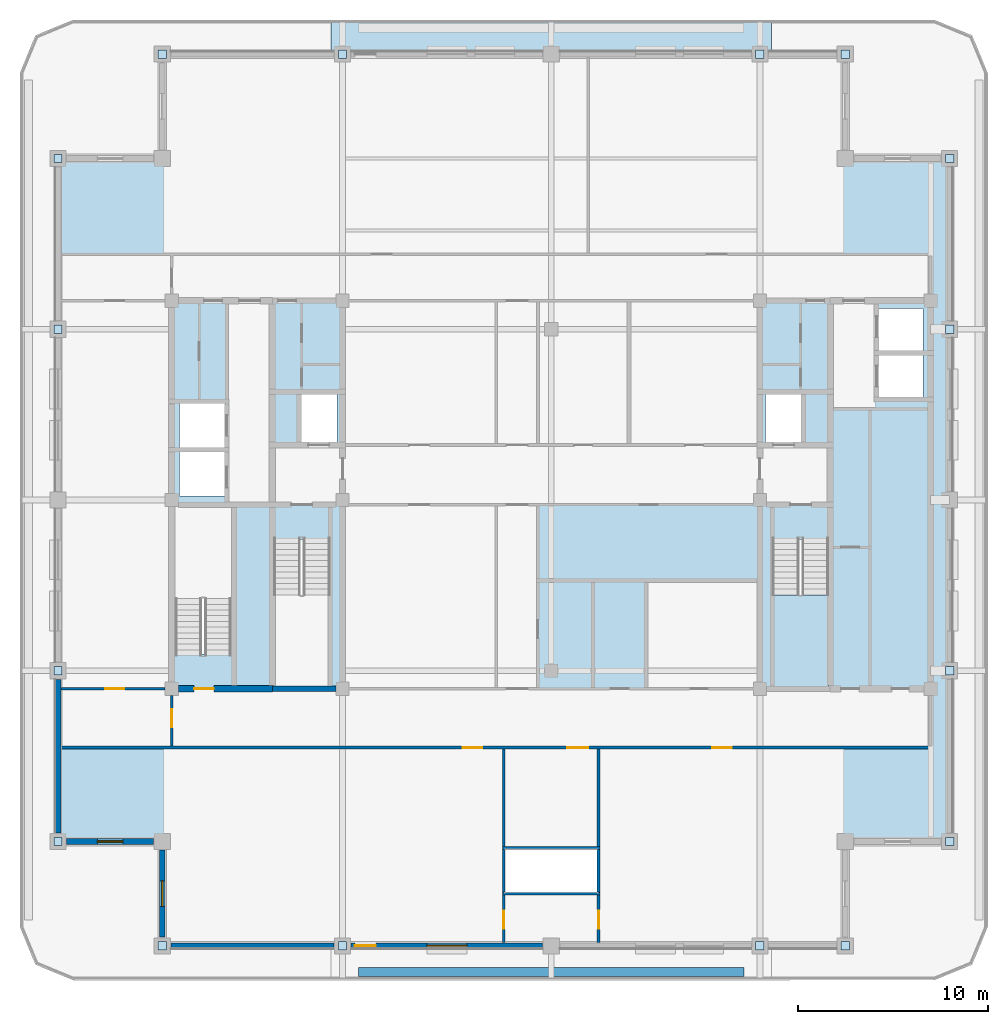
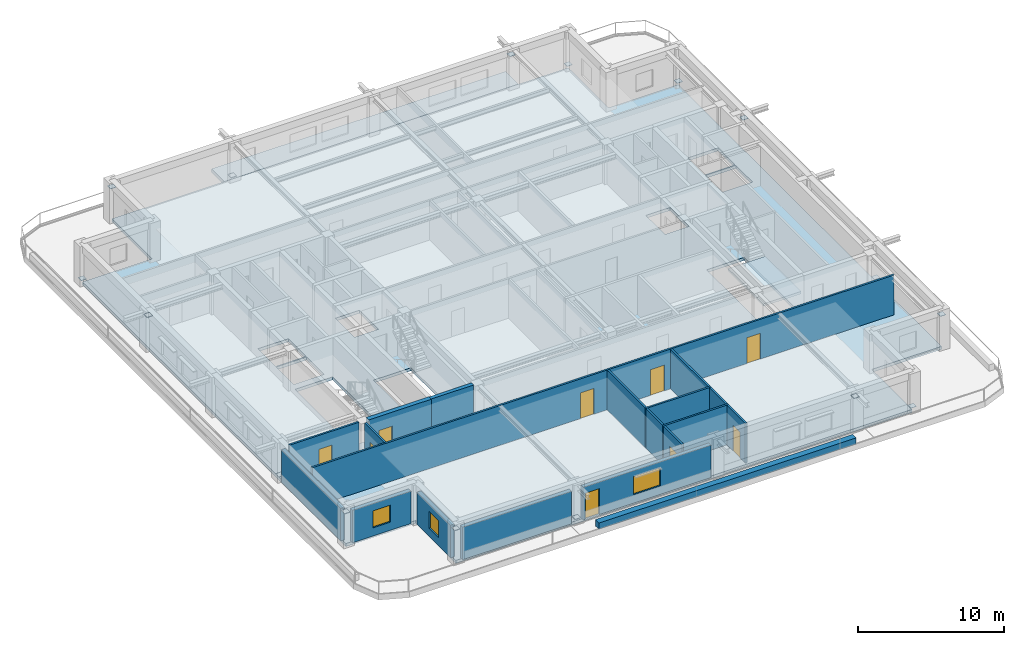
# One storey, part 2 of 11: 19 walls, 16 plates, 9 doors, 3 slabs, 3 windows, 12 openings, 1 element without a shape of its own.
"""IFC4 building model written with IfcOpenShell, lengths in metres."""

import ifcopenshell
import ifcopenshell.guid

model = None  # the IFC model being written
_history = None  # IfcOwnerHistory: only IFC2X3 demands one
_inside = {}  # id of a spatial element -> (the spatial element, [elements in it])
_under = {}  # id of a project, library or spatial element -> (it, [spatial elements below it])
_declared = {}  # id of a project -> (the project, [libraries it declares])
_typed = {}  # id of a type object -> (the type object, [elements of that type])
_made_of = {}  # id of a material, layer set ... -> (it, [elements and type objects made of it])


def new_model(schema):
    """Start an empty IFC model of exactly this schema.

    Asked for "IFC4X3", IfcOpenShell would pick the latest addendum, in which some entities
    have other attributes; the version numbers below select the first issue.
    IFC2X3 requires an IfcOwnerHistory on every rooted entity: one is made here for all.
    """
    global model, _history
    if schema == "IFC4X3":
        model = ifcopenshell.file(schema_version=(4, 3, 0, 0))
    else:
        model = ifcopenshell.file(schema=schema)
    _inside.clear()
    _under.clear()
    _declared.clear()
    _typed.clear()
    _made_of.clear()
    _history = None
    if model.schema == "IFC2X3":
        org = make("IfcOrganization", Name="unknown")
        user = make(
            "IfcPersonAndOrganization",
            ThePerson=make("IfcPerson", FamilyName="unknown"),
            TheOrganization=org,
        )
        app = make(
            "IfcApplication",
            ApplicationDeveloper=org,
            Version="unknown",
            ApplicationFullName="unknown",
            ApplicationIdentifier="unknown",
        )
        _history = make(
            "IfcOwnerHistory",
            OwningUser=user,
            OwningApplication=app,
            ChangeAction="ADDED",
            CreationDate=0,
        )
    return model


def make(cls, **values):
    """One entity of the class cls with the attributes given. An attribute that is None is left unset."""
    return model.create_entity(
        cls, **{name: value for name, value in values.items() if value is not None}
    )


def rooted(cls, **values):
    """An entity with a GlobalId (a new one), such as an element, a storey or a relation."""
    return make(cls, GlobalId=ifcopenshell.guid.new(), OwnerHistory=_history, **values)


def si_unit(unit_type, name, prefix=None):
    """IfcSIUnit, for example si_unit("LENGTHUNIT", "METRE", prefix="MILLI")."""
    return make("IfcSIUnit", UnitType=unit_type, Prefix=prefix, Name=name)


def assignment(units):
    """IfcUnitAssignment: the units of a project."""
    return None if units is None else make("IfcUnitAssignment", Units=units)


def point(xyz):
    """IfcCartesianPoint."""
    return None if xyz is None else make("IfcCartesianPoint", Coordinates=xyz)


def direction(xyz):
    """IfcDirection."""
    return None if xyz is None else make("IfcDirection", DirectionRatios=xyz)


def frame(location, z_axis=None, x_axis=None):
    """IfcAxis2Placement3D, a coordinate frame: its origin and axes. An axis left out is left unset."""
    return make(
        "IfcAxis2Placement3D",
        Location=point(location),
        Axis=direction(z_axis),
        RefDirection=direction(x_axis),
    )


def frame_2d(location, x_axis=None):
    """IfcAxis2Placement2D, a coordinate frame in the plane: its origin and x axis."""
    return make(
        "IfcAxis2Placement2D", Location=point(location), RefDirection=direction(x_axis)
    )


def origin():
    """The frame at (0, 0, 0) with its axes left unset."""
    return frame((0.0, 0.0, 0.0))


def origin_2d():
    """The frame at (0, 0) in the plane with its x axis left unset."""
    return frame_2d((0.0, 0.0))


def place(relative_to, where):
    """IfcLocalPlacement: puts the frame where relative to a parent placement (None: the world)."""
    return make(
        "IfcLocalPlacement", PlacementRelTo=relative_to, RelativePlacement=where
    )


def context(
    kind, dimensions, precision=None, world=None, true_north=None, identifier=None
):
    """IfcGeometricRepresentationContext, for example the 3D "Model" context."""
    return make(
        "IfcGeometricRepresentationContext",
        ContextIdentifier=identifier,
        ContextType=kind,
        CoordinateSpaceDimension=dimensions,
        Precision=precision,
        WorldCoordinateSystem=world,
        TrueNorth=true_north,
    )


def subcontext(parent, identifier, kind, view, scale=None):
    """IfcGeometricRepresentationSubContext, for example "Body" below "Model"."""
    return make(
        "IfcGeometricRepresentationSubContext",
        ContextIdentifier=identifier,
        ContextType=kind,
        ParentContext=parent,
        TargetScale=scale,
        TargetView=view,
    )


def project(units=None, contexts=None):
    """IfcProject with its units and contexts."""
    return rooted(
        "IfcProject",
        Name="project",
        RepresentationContexts=contexts,
        UnitsInContext=assignment(units),
    )


def spatial(cls, under=None, at=None, **own):
    """A site, building, storey or space (cls), placed at a placement, below another one or the project."""
    s = rooted(cls, ObjectPlacement=at, **own)
    if under is not None:
        _under.setdefault(under.id(), (under, []))[1].append(s)
    return s


def polyline(points):
    """IfcPolyline through the points."""
    return make("IfcPolyline", Points=[point(p) for p in points])


def profile(cls, at=None, kind="AREA", **sizes):
    """A parametric profile (cls). Its sizes go by their IFC names, for example OverallWidth=200.0."""
    return make(cls, ProfileType=kind, Position=at, **sizes)


def rectangle(**sizes):
    """IfcRectangleProfileDef."""
    return profile("IfcRectangleProfileDef", **sizes)


def outline(outer, holes=None, kind="AREA"):
    """IfcArbitraryClosedProfileDef: a profile drawn as a closed curve; with holes, ...WithVoids."""
    if holes is None:
        return make("IfcArbitraryClosedProfileDef", ProfileType=kind, OuterCurve=outer)
    return make(
        "IfcArbitraryProfileDefWithVoids",
        ProfileType=kind,
        OuterCurve=outer,
        InnerCurves=holes,
    )


def extrude(swept, where, along, depth):
    """IfcExtrudedAreaSolid: the profile swept, set in the frame where, extruded along a direction by depth."""
    return make(
        "IfcExtrudedAreaSolid",
        SweptArea=swept,
        Position=where,
        ExtrudedDirection=direction(along),
        Depth=depth,
    )


def shape(context_of_items, identifier, shape_type, items):
    """IfcShapeRepresentation: the items that make up one representation, for example the "Body"."""
    return make(
        "IfcShapeRepresentation",
        ContextOfItems=context_of_items,
        RepresentationIdentifier=identifier,
        RepresentationType=shape_type,
        Items=items,
    )


def material(Name=None, Category=None):
    """IfcMaterial."""
    return make("IfcMaterial", Name=Name, Category=Category)


def layer(
    of_material, thickness, ventilated=None, Name=None, Category=None, Priority=None
):
    """IfcMaterialLayer: one layer of a wall or slab, of a material (None: an air gap)."""
    return make(
        "IfcMaterialLayer",
        Material=of_material,
        LayerThickness=thickness,
        IsVentilated=ventilated,
        Name=Name,
        Category=Category,
        Priority=Priority,
    )


def layer_set(layers, Name=None):
    """IfcMaterialLayerSet."""
    return make("IfcMaterialLayerSet", MaterialLayers=layers, LayerSetName=Name)


def made_of(thing, what):
    """Note that an element or type object is made of a material, layer set ...; save() writes the relation."""
    if what is not None:
        _made_of.setdefault(what.id(), (what, []))[1].append(thing)
    return thing


def type_object(cls, material=None, **own):
    """A type object (cls), such as IfcWallType, which elements share."""
    return made_of(rooted(cls, **own), material)


def element(
    cls,
    number,
    at=None,
    inside=None,
    cuts=None,
    type_object=None,
    material=None,
    context=None,
    identifier="Body",
    shape_type=None,
    held_by="IfcProductDefinitionShape",
    body=None,
    shapes=None,
    **own,
):
    """One element of the class cls, such as IfcWall. Its Tag is "e" and its number.

    at: its placement. inside: the storey or other place that contains it. cuts: it is an
    opening in that element (IfcRelVoidsElement). A single representation is given by context,
    identifier, shape_type and body (its items); several are given by shapes. held_by: the class
    of the entity that holds the representations. save() writes the other relations.
    """
    e = rooted(cls, Tag="e%d" % number, ObjectPlacement=at, **own)
    if body is not None:
        shapes = [shape(context, identifier, shape_type, body)]
    if shapes is not None:
        e.Representation = make(held_by, Representations=shapes)
    if inside is not None:
        _inside.setdefault(inside.id(), (inside, []))[1].append(e)
    if cuts is not None:
        rooted(
            "IfcRelVoidsElement", RelatingBuildingElement=cuts, RelatedOpeningElement=e
        )
    if type_object is not None:
        _typed.setdefault(type_object.id(), (type_object, []))[1].append(e)
    return made_of(e, material)


def fill(opening, filler):
    """IfcRelFillsElement: the door or window that sits in an opening."""
    return rooted(
        "IfcRelFillsElement",
        RelatingOpeningElement=opening,
        RelatedBuildingElement=filler,
    )


def aggregate(whole, parts):
    """IfcRelAggregates: a whole, such as a stair, and the parts it consists of."""
    return rooted("IfcRelAggregates", RelatingObject=whole, RelatedObjects=parts)


def save(model, path):
    """Write the relations noted so far, then the file.

    IfcRelAggregates (storeys below a building ...), IfcRelContainedInSpatialStructure (elements
    in a storey), IfcRelDefinesByType, IfcRelAssociatesMaterial and IfcRelDeclares: one each for
    every whole, place, type object, material and project.
    """
    for whole, parts in _under.values():
        aggregate(whole, parts)
    for where, things in _inside.values():
        rooted(
            "IfcRelContainedInSpatialStructure",
            RelatedElements=things,
            RelatingStructure=where,
        )
    for kind, things in _typed.values():
        rooted("IfcRelDefinesByType", RelatedObjects=things, RelatingType=kind)
    for what, things in _made_of.values():
        rooted("IfcRelAssociatesMaterial", RelatedObjects=things, RelatingMaterial=what)
    for by, libraries in _declared.values():
        rooted("IfcRelDeclares", RelatingContext=by, RelatedDefinitions=libraries)
    model.write(path)


model = new_model("IFC4")

# Units and contexts
model_context = context("Model", 3, precision=1e-05, world=origin(), true_north=direction((0.0, 1.0)))
body_context = subcontext(model_context, "Body", "Model", "MODEL_VIEW")
ifc_project = project(units=[si_unit("LENGTHUNIT", "METRE"), si_unit("AREAUNIT", "SQUARE_METRE"), si_unit("VOLUMEUNIT", "CUBIC_METRE"), si_unit("PLANEANGLEUNIT", "RADIAN"), si_unit("MASSUNIT", "GRAM", prefix="KILO")], contexts=[model_context])

# Site, building, storey
site_placement = place(None, origin())
site = spatial("IfcSite", under=ifc_project, at=site_placement, CompositionType="ELEMENT")
building_placement = place(site_placement, origin())
building = spatial("IfcBuilding", under=site, at=building_placement, Name="Zulmaris Gate Convention Tower", CompositionType="ELEMENT")
storey_placement = place(building_placement, frame((0.0, 0.0, 274.320068359375)))
storey = spatial("IfcBuildingStorey", under=building, at=storey_placement, Name="L73", CompositionType="ELEMENT", Elevation=274.320068359375)

# Plates
ifc_material_1 = material(Name="Steel S460", Category="steel")
ifc_layer_1 = layer(ifc_material_1, 0.02490234375, Name="Steel S460")
ifc_layer_set_1 = layer_set([ifc_layer_1], Name="Steel S460")
plate_type = type_object("IfcPlateType", Name="NP-CAP-440", PredefinedType="USERDEFINED", material=ifc_layer_set_1)
for number, where, z_axis, x_axis, name in (
    (1, (-26.0, -9.0, 0.28759765625), (0.0, 0.0, 1.0), (1.0, 0.0, 0.0), "L73 Steel Node Plate PBR-L73-SW-W-CAP"),
    (2, (-26.0, -18.0, 2.6826171875), (0.0, 0.0, 1.0), (1.0, 0.0, 0.0), "L73 Steel Node Plate PBR-L73-SW-W-CAPB"),
    (3, (-26.0, 18.0, 0.28759765625), (0.0, 0.0, 1.0), (1.0, 0.0, 0.0), "L73 Steel Node Plate PBR-L73-NW-W-CAP"),
    (4, (-26.0, 9.0, 2.6826171875), (0.0, 0.0, 1.0), (1.0, 0.0, 0.0), "L73 Steel Node Plate PBR-L73-NW-W-CAPB"),
    (5, (21.0, -9.0, 0.28759765625), (0.0, 0.0, 1.0), (1.0, 0.0, 0.0), "L73 Steel Node Plate PBR-L73-SE-E-CAP"),
    (6, (21.0, -18.0, 2.6826171875), (0.0, 0.0, 1.0), (1.0, 0.0, 0.0), "L73 Steel Node Plate PBR-L73-SE-E-CAPB"),
    (7, (21.0, 18.0, 0.28759765625), (0.0, 0.0, 1.0), (1.0, 0.0, 0.0), "L73 Steel Node Plate PBR-L73-NE-E-CAP"),
    (8, (21.0, 9.0, 2.6826171875), (0.0, 0.0, 1.0), (1.0, 0.0, 0.0), "L73 Steel Node Plate PBR-L73-NE-E-CAPB"),
    (9, (-11.0, -23.5, 0.28759765625), (0.0, 0.0, 1.0), (1.0, 0.0, 0.0), "L73 Steel Node Plate PBR-L73-SW-S-CAP"),
    (10, (-20.5, -23.5, 2.6826171875), (0.0, 0.0, 1.0), (1.0, 0.0, 0.0), "L73 Steel Node Plate PBR-L73-SW-S-CAPB"),
    (11, (15.5, -23.5, 0.28759765625), (0.0, 0.0, 1.0), (1.0, 0.0, 0.0), "L73 Steel Node Plate PBR-L73-SE-S-CAP"),
    (12, (11.0, -23.5, 2.6826171875), (0.0, 0.0, 1.0), (1.0, 0.0, 0.0), "L73 Steel Node Plate PBR-L73-SE-S-CAPB"),
    (13, (-11.0, 23.5, 0.28759765625), (0.0, 0.0, 1.0), (1.0, 0.0, 0.0), "L73 Steel Node Plate PBR-L73-NW-N-CAP"),
    (14, (-20.5, 23.5, 2.6826171875), (0.0, 0.0, 1.0), (1.0, 0.0, 0.0), "L73 Steel Node Plate PBR-L73-NW-N-CAPB"),
    (15, (15.5, 23.5, 0.28759765625), (0.0, 0.0, 1.0), (1.0, 0.0, 0.0), "L73 Steel Node Plate PBR-L73-NE-N-CAP"),
    (16, (11.0, 23.5, 2.6826171875), (0.0, 0.0, 1.0), (1.0, 0.0, 0.0), "L73 Steel Node Plate PBR-L73-NE-N-CAPB"),
):
    element("IfcPlate", number, at=place(storey_placement, frame(where, z_axis=z_axis, x_axis=x_axis)), inside=storey, type_object=plate_type, Name=name, ObjectType="FLANGE PLATE", PredefinedType="USERDEFINED", context=body_context, shape_type="SweptSolid", body=[
        extrude(rectangle(XDim=0.43994140625, YDim=0.43994140625, at=origin_2d()), origin(), (0.0, 0.0, 1.0), 0.02490234375),
    ])

# Slabs
ifc_material_2 = material(Name="Precast concrete C50/60", Category="concrete")
ifc_layer_2 = layer(ifc_material_2, 0.239990234375, Name="Precast concrete C50/60")
ifc_layer_set_2 = layer_set([ifc_layer_2], Name="Precast concrete C50/60")
slab_type_1 = type_object("IfcSlabType", Name="SL-BAL-240", PredefinedType="FLOOR", material=ifc_layer_set_2)
slab_1_placement = place(storey_placement, frame((0.0, 0.0, -0.324951171875)))
element("IfcSlab", 17, at=slab_1_placement, inside=storey, type_object=slab_type_1, Name="L73 North Tree-Balcony Planter Slab", PredefinedType="FLOOR", context=body_context, shape_type="SweptSolid", body=[
    extrude(outline(polyline([(11.597900390625, 25.300048828125), (11.597900390625, 23.5), (-11.597900390625, 23.5), (-11.597900390625, 25.300048828125), (11.597900390625, 25.300048828125)])), origin(), (0.0, 0.0, 1.0), 0.284912109375),
])
ifc_material_3 = material(Name="Concrete C50/60", Category="concrete")
ifc_layer_3 = layer(ifc_material_3, 0.25, Name="Concrete C50/60")
ifc_layer_set_3 = layer_set([ifc_layer_3], Name="Concrete C50/60")
slab_type_2 = type_object("IfcSlabType", Name="SL-FLR-250", PredefinedType="FLOOR", material=ifc_layer_set_3)
slab_2_placement = place(storey_placement, frame((0.0, 0.0, -0.25)))
element("IfcSlab", 18, at=slab_2_placement, inside=storey, type_object=slab_type_2, Name="L73 Shifted Notched-Square Structural Floor Slab", PredefinedType="FLOOR", context=body_context, shape_type="SweptSolid", body=[
    extrude(outline(polyline([(-20.5, -23.5), (15.5, -23.5), (15.5, -18.0), (21.0, -18.0), (21.0, 18.0), (15.5, 18.0), (15.5, 23.5), (-20.5, 23.5), (-20.5, 18.0), (-26.0, 18.0), (-26.0, -18.0), (-20.5, -18.0), (-20.5, -23.5)]), holes=[polyline([(-14.6201171875, -2.080078125), (-14.6201171875, -9.85009765625), (-11.659912109375, -9.85009765625), (-11.659912109375, -2.080078125), (-14.6201171875, -2.080078125)]), polyline([(11.659912109375, -2.080078125), (11.659912109375, -9.85009765625), (14.6201171875, -9.85009765625), (14.6201171875, -2.080078125), (11.659912109375, -2.080078125)]), polyline([(-16.860107421875, -8.1201171875), (-16.860107421875, -0.35009765625), (-19.820068359375, -0.35009765625), (-19.820068359375, -8.1201171875), (-16.860107421875, -8.1201171875)]), polyline([(-13.199951171875, 3.0), (-11.300048828125, 3.0), (-11.300048828125, 5.60009765625), (-13.199951171875, 5.60009765625), (-13.199951171875, 3.0)]), polyline([(11.300048828125, 3.0), (13.199951171875, 3.0), (13.199951171875, 5.60009765625), (11.300048828125, 5.60009765625), (11.300048828125, 3.0)]), polyline([(17.199951171875, 5.39990234375), (19.60009765625, 5.39990234375), (19.60009765625, 7.699951171875), (17.199951171875, 7.699951171875), (17.199951171875, 5.39990234375)]), polyline([(17.199951171875, 7.800048828125), (19.60009765625, 7.800048828125), (19.60009765625, 10.10009765625), (17.199951171875, 10.10009765625), (17.199951171875, 7.800048828125)]), polyline([(-19.60009765625, 0.199951171875), (-17.199951171875, 0.199951171875), (-17.199951171875, 2.60009765625), (-19.60009765625, 2.60009765625), (-19.60009765625, 0.199951171875)]), polyline([(-19.60009765625, 2.699951171875), (-17.199951171875, 2.699951171875), (-17.199951171875, 5.10009765625), (-19.60009765625, 5.10009765625), (-19.60009765625, 2.699951171875)]), polyline([(-2.5, -20.75), (2.5, -20.75), (2.5, -18.35009765625), (-2.5, -18.35009765625), (-2.5, -20.75)])]), origin(), (0.0, 0.0, 1.0), 0.25),
])

# Stair, slab
ifc_material_4 = material(Name="Concrete C45/55", Category="concrete")
stair_type = type_object("IfcStairType", Name="ST-CORE-DOGLEG", PredefinedType="HALF_TURN_STAIR", material=ifc_material_4)
stair_placement = place(storey_placement, origin())
stair = element("IfcStair", 19, at=stair_placement, inside=storey, type_object=stair_type, Name="L73 Core Exit Stair ST-2", PredefinedType="HALF_TURN_STAIR")
ifc_layer_4 = layer(ifc_material_4, 0.199951171875, Name="Concrete C45/55")
ifc_layer_set_4 = layer_set([ifc_layer_4], Name="Concrete C45/55")
slab_type_3 = type_object("IfcSlabType", Name="SL-LND-200", PredefinedType="LANDING", material=ifc_layer_set_4)
slab_3_placement = place(storey_placement, frame((0.0, 0.0, 1.669921875)))
slab_3 = element("IfcSlab", 20, at=slab_3_placement, type_object=slab_type_3, Name="ST-2 landing 1", PredefinedType="LANDING", context=body_context, shape_type="SweptSolid", body=[
    extrude(outline(polyline([(11.659912109375, -5.0), (11.659912109375, -9.85009765625), (14.6201171875, -9.85009765625), (14.6201171875, -5.0), (11.659912109375, -5.0)])), origin(), (0.0, 0.0, 1.0), 0.2001953125),
])
aggregate(stair, [slab_3])

# Wall
ifc_layer_5 = layer(ifc_material_3, 0.300048828125, Name="Concrete C50/60")
ifc_layer_set_5 = layer_set([ifc_layer_5], Name="Concrete C50/60")
wall_type_1 = type_object("IfcWallType", Name="CORE-300", PredefinedType="SHEAR", material=ifc_layer_set_5)
wall_1_placement = place(storey_placement, frame((-14.699951171875, -9.949951171875, 0.0), z_axis=(0.0, 0.0, 1.0), x_axis=(1.0, 0.0, 0.0)))
element("IfcWall", 21, at=wall_1_placement, inside=storey, type_object=wall_type_1, Name="WL-L73-002", PredefinedType="SHEAR", context=body_context, shape_type="SweptSolid", body=[
    extrude(rectangle(XDim=3.345947265625, YDim=0.300048828125, at=frame_2d((1.6728515625, 0.0))), origin(), (0.0, 0.0, 1.0), 3.31494140625),
])

# Wall, opening, door
ifc_material_5 = material(Name="Concrete C55/67", Category="concrete")
ifc_layer_6 = layer(ifc_material_5, 0.35009765625, Name="Concrete C55/67")
ifc_layer_set_6 = layer_set([ifc_layer_6], Name="Concrete C55/67")
wall_type_2 = type_object("IfcWallType", Name="CORE-350", PredefinedType="SHEAR", material=ifc_layer_set_6)
wall_2_placement = place(storey_placement, frame((-19.64599609375, -9.949951171875, 0.0), z_axis=(0.0, 0.0, 1.0), x_axis=(1.0, 0.0, 0.0)))
wall_2 = element("IfcWall", 22, at=wall_2_placement, inside=storey, type_object=wall_type_2, Name="WL-L73-001", PredefinedType="SHEAR", context=body_context, shape_type="SweptSolid", body=[
    extrude(rectangle(XDim=4.946044921875, YDim=0.35009765625, at=frame_2d((2.47314453125, 0.0))), origin(), (0.0, 0.0, 1.0), 3.31494140625),
])
opening_1_placement = place(wall_2_placement, frame((0.821044921875, 0.0, 0.0)))
opening_1 = element("IfcOpeningElement", 23, at=opening_1_placement, cuts=wall_2, Name="Opening D-09", PredefinedType="OPENING", context=body_context, shape_type="SweptSolid", body=[
    extrude(rectangle(XDim=1.050048828125, YDim=2.14990234375, at=frame_2d((0.52490234375, 1.074951171875))), frame((0.0, 0.18505859375, 0.0), z_axis=(0.0, -1.0, 0.0), x_axis=(1.0, 0.0, 0.0)), (0.0, 0.0, 1.0), 0.3701171875),
])
ifc_material_6 = material(Name="Fire-Rated Steel", Category="steel")
door_type_1 = type_object("IfcDoorType", Name="DR-1050-FD", OperationType="NOTDEFINED", PredefinedType="DOOR", material=ifc_material_6)
door_1_placement = place(opening_1_placement, origin())
door_1 = element("IfcDoor", 24, at=door_1_placement, inside=storey, type_object=door_type_1, Name="L73 Exit Stair ST-3 Door 13", OperationType="SINGLE_SWING_RIGHT", OverallHeight=2.14990234375, OverallWidth=1.050048828125, PredefinedType="DOOR", context=body_context, shape_type="SweptSolid", body=[
    extrude(rectangle(XDim=1.050048828125, YDim=2.14990234375, at=frame_2d((0.52490234375, 1.074951171875))), frame((0.0, 0.02490234375, 0.0), z_axis=(0.0, -1.0, 0.0), x_axis=(1.0, 0.0, 0.0)), (0.0, 0.0, 1.0), 0.050048828125),
])
fill(opening_1, door_1)

# Walls
ifc_material_7 = material(Name="Gypsum Metal Stud Partition")
ifc_layer_7 = layer(ifc_material_7, 0.14990234375, Name="Gypsum Metal Stud Partition")
ifc_layer_set_7 = layer_set([ifc_layer_7], Name="Gypsum Metal Stud Partition")
wall_type_3 = type_object("IfcWallType", Name="PART-150", PredefinedType="PARTITIONING", material=ifc_layer_set_7)
for number, where, z_axis, x_axis, name in (
    (25, (-2.574951171875, -20.75, 0.0), (0.0, 0.0, 1.0), (1.0, 0.0, 0.0), "WL-L73-019"),
    (26, (-2.574951171875, -18.35009765625, 0.0), (0.0, 0.0, 1.0), (1.0, 0.0, 0.0), "WL-L73-020"),
):
    element("IfcWall", number, at=place(storey_placement, frame(where, z_axis=z_axis, x_axis=x_axis)), inside=storey, type_object=wall_type_3, Name=name, PredefinedType="PARTITIONING", context=body_context, shape_type="SweptSolid", body=[
        extrude(rectangle(XDim=5.14990234375, YDim=0.14990234375, at=frame_2d((2.574951171875, 0.0))), origin(), (0.0, 0.0, 1.0), 3.31494140625),
    ])

# Wall, openings, doors
wall_3_placement = place(storey_placement, frame((-25.8349609375, -13.050048828125, 0.0), z_axis=(0.0, 0.0, 1.0), x_axis=(1.0, 0.0, 0.0)))
wall_3 = element("IfcWall", 27, at=wall_3_placement, inside=storey, type_object=wall_type_3, Name="WL-L73-021", PredefinedType="PARTITIONING", context=body_context, shape_type="SweptSolid", body=[
    extrude(rectangle(XDim=45.909912109375, YDim=0.14990234375, at=frame_2d((22.955078125, 0.0))), origin(), (0.0, 0.0, 1.0), 3.31494140625),
])
opening_2_placement = place(wall_3_placement, frame((26.68505859375, 0.0, 0.0)))
opening_2 = element("IfcOpeningElement", 28, at=opening_2_placement, cuts=wall_3, Name="Opening D-08", PredefinedType="OPENING", context=body_context, shape_type="SweptSolid", body=[
    extrude(rectangle(XDim=1.10009765625, YDim=2.14990234375, at=frame_2d((0.550048828125, 1.074951171875))), frame((0.0, 0.0849609375, 0.0), z_axis=(0.0, -1.0, 0.0), x_axis=(1.0, 0.0, 0.0)), (0.0, 0.0, 1.0), 0.169921875),
])
opening_3_placement = place(wall_3_placement, frame((21.159912109375, 0.0, 0.0)))
opening_3 = element("IfcOpeningElement", 29, at=opening_3_placement, cuts=wall_3, Name="Opening D-09", PredefinedType="OPENING", context=body_context, shape_type="SweptSolid", body=[
    extrude(rectangle(XDim=1.050048828125, YDim=2.14990234375, at=frame_2d((0.52490234375, 1.074951171875))), frame((0.0, 0.0849609375, 0.0), z_axis=(0.0, -1.0, 0.0), x_axis=(1.0, 0.0, 0.0)), (0.0, 0.0, 1.0), 0.169921875),
])
opening_4_placement = place(wall_3_placement, frame((34.31005859375, 0.0, 0.0)))
opening_4 = element("IfcOpeningElement", 30, at=opening_4_placement, cuts=wall_3, Name="Opening D-09", PredefinedType="OPENING", context=body_context, shape_type="SweptSolid", body=[
    extrude(rectangle(XDim=1.050048828125, YDim=2.14990234375, at=frame_2d((0.52490234375, 1.074951171875))), frame((0.0, 0.0849609375, 0.0), z_axis=(0.0, -1.0, 0.0), x_axis=(1.0, 0.0, 0.0)), (0.0, 0.0, 1.0), 0.169921875),
])
door_2_placement = place(opening_3_placement, origin())
door_2 = element("IfcDoor", 31, at=door_2_placement, inside=storey, type_object=door_type_1, Name="L73 Corner Boardroom SW Door 34", OperationType="SINGLE_SWING_LEFT", OverallHeight=2.14990234375, OverallWidth=1.050048828125, PredefinedType="DOOR", context=body_context, shape_type="SweptSolid", body=[
    extrude(rectangle(XDim=1.050048828125, YDim=2.14990234375, at=frame_2d((0.52490234375, 1.074951171875))), frame((0.0, 0.02490234375, 0.0), z_axis=(0.0, -1.0, 0.0), x_axis=(1.0, 0.0, 0.0)), (0.0, 0.0, 1.0), 0.050048828125),
])
fill(opening_3, door_2)
door_3_placement = place(opening_4_placement, origin())
door_3 = element("IfcDoor", 32, at=door_3_placement, inside=storey, type_object=door_type_1, Name="L73 Corner Boardroom SE Door 35", OperationType="SINGLE_SWING_RIGHT", OverallHeight=2.14990234375, OverallWidth=1.050048828125, PredefinedType="DOOR", context=body_context, shape_type="SweptSolid", body=[
    extrude(rectangle(XDim=1.050048828125, YDim=2.14990234375, at=frame_2d((0.52490234375, 1.074951171875))), frame((0.0, 0.02490234375, 0.0), z_axis=(0.0, -1.0, 0.0), x_axis=(1.0, 0.0, 0.0)), (0.0, 0.0, 1.0), 0.050048828125),
])
fill(opening_4, door_3)
door_type_2 = type_object("IfcDoorType", Name="DR-1100-FD", OperationType="NOTDEFINED", PredefinedType="DOOR", material=ifc_material_6)
door_4_placement = place(opening_2_placement, origin())
door_4 = element("IfcDoor", 33, at=door_4_placement, inside=storey, type_object=door_type_2, Name="L73 Mezzanine Gallery Door 33", OperationType="SINGLE_SWING_RIGHT", OverallHeight=2.14990234375, OverallWidth=1.10009765625, PredefinedType="DOOR", context=body_context, shape_type="SweptSolid", body=[
    extrude(rectangle(XDim=1.10009765625, YDim=2.14990234375, at=frame_2d((0.550048828125, 1.074951171875))), frame((0.0, 0.02490234375, 0.0), z_axis=(0.0, -1.0, 0.0), x_axis=(1.0, 0.0, 0.0)), (0.0, 0.0, 1.0), 0.050048828125),
])
fill(opening_2, door_4)

# Wall, opening, door
wall_4_placement = place(storey_placement, frame((-25.8349609375, -9.949951171875, 0.0), z_axis=(0.0, 0.0, 1.0), x_axis=(1.0, 0.0, 0.0)))
wall_4 = element("IfcWall", 34, at=wall_4_placement, inside=storey, type_object=wall_type_3, Name="WL-L73-022", PredefinedType="PARTITIONING", context=body_context, shape_type="SweptSolid", body=[
    extrude(rectangle(XDim=5.47900390625, YDim=0.14990234375, at=frame_2d((2.739501953125, 0.0))), origin(), (0.0, 0.0, 1.0), 3.31494140625),
])
opening_5_placement = place(wall_4_placement, frame((2.3349609375, 0.0, 0.0)))
opening_5 = element("IfcOpeningElement", 35, at=opening_5_placement, cuts=wall_4, Name="Opening D-10", PredefinedType="OPENING", context=body_context, shape_type="SweptSolid", body=[
    extrude(rectangle(XDim=1.0, YDim=2.14990234375, at=frame_2d((0.5, 1.074951171875))), frame((0.0, 0.0849609375, 0.0), z_axis=(0.0, -1.0, 0.0), x_axis=(1.0, 0.0, 0.0)), (0.0, 0.0, 1.0), 0.169921875),
])
ifc_material_8 = material(Name="Fire-Rated Timber", Category="wood")
door_type_3 = type_object("IfcDoorType", Name="DR-1000-FD", OperationType="NOTDEFINED", PredefinedType="DOOR", material=ifc_material_8)
door_5_placement = place(opening_5_placement, origin())
door_5 = element("IfcDoor", 36, at=door_5_placement, inside=storey, type_object=door_type_3, Name="L73 West Workplace South Door 47", OperationType="SINGLE_SWING_RIGHT", OverallHeight=2.14990234375, OverallWidth=1.0, PredefinedType="DOOR", context=body_context, shape_type="SweptSolid", body=[
    extrude(rectangle(XDim=1.0, YDim=2.14990234375, at=frame_2d((0.5, 1.074951171875))), frame((0.0, 0.02490234375, 0.0), z_axis=(0.0, -1.0, 0.0), x_axis=(1.0, 0.0, 0.0)), (0.0, 0.0, 1.0), 0.050048828125),
])
fill(opening_5, door_5)

wall_5_placement = place(storey_placement, frame((-20.0, -12.971923828125, 0.0), z_axis=(0.0, 0.0, 1.0), x_axis=(0.0, 1.0, 0.0)))
wall_5 = element("IfcWall", 37, at=wall_5_placement, inside=storey, type_object=wall_type_3, Name="WL-L73-066", PredefinedType="PARTITIONING", context=body_context, shape_type="SweptSolid", body=[
    extrude(rectangle(XDim=2.666015625, YDim=0.14990234375, at=frame_2d((1.3330078125, 0.0))), origin(), (0.0, 0.0, 1.0), 3.31494140625),
])
opening_6_placement = place(wall_5_placement, frame((0.9970703125, 0.0, 0.0)))
opening_6 = element("IfcOpeningElement", 38, at=opening_6_placement, cuts=wall_5, Name="Opening D-11", PredefinedType="OPENING", context=body_context, shape_type="SweptSolid", body=[
    extrude(rectangle(XDim=0.949951171875, YDim=2.14990234375, at=frame_2d((0.47509765625, 1.074951171875))), frame((0.0, 0.0849609375, 0.0), z_axis=(0.0, -1.0, 0.0), x_axis=(1.0, 0.0, 0.0)), (0.0, 0.0, 1.0), 0.169921875),
])
door_type_4 = type_object("IfcDoorType", Name="DR-950-FD", OperationType="NOTDEFINED", PredefinedType="DOOR", material=ifc_material_8)
door_6_placement = place(opening_6_placement, origin())
door_6 = element("IfcDoor", 39, at=door_6_placement, inside=storey, type_object=door_type_4, Name="L73 SW Spur Door 45", OperationType="SINGLE_SWING_RIGHT", OverallHeight=2.14990234375, OverallWidth=0.949951171875, PredefinedType="DOOR", context=body_context, shape_type="SweptSolid", body=[
    extrude(rectangle(XDim=0.949951171875, YDim=2.14990234375, at=frame_2d((0.47509765625, 1.074951171875))), frame((0.0, 0.02490234375, 0.0), z_axis=(0.0, -1.0, 0.0), x_axis=(1.0, 0.0, 0.0)), (0.0, 0.0, 1.0), 0.050048828125),
])
fill(opening_6, door_6)

wall_6_placement = place(storey_placement, frame((-2.5, -23.3349609375, 0.0), z_axis=(0.0, 0.0, 1.0), x_axis=(0.0, 1.0, 0.0)))
wall_6 = element("IfcWall", 40, at=wall_6_placement, inside=storey, type_object=wall_type_3, Name="WL-L73-074", PredefinedType="PARTITIONING", context=body_context, shape_type="SweptSolid", body=[
    extrude(rectangle(XDim=2.507080078125, YDim=0.14990234375, at=frame_2d((1.25341796875, 0.0))), origin(), (0.0, 0.0, 1.0), 3.31494140625),
])
opening_7_placement = place(wall_6_placement, frame((0.739990234375, 0.0, 0.0)))
opening_7 = element("IfcOpeningElement", 41, at=opening_7_placement, cuts=wall_6, Name="Opening D-16", PredefinedType="OPENING", context=body_context, shape_type="SweptSolid", body=[
    extrude(rectangle(XDim=0.949951171875, YDim=2.14990234375, at=frame_2d((0.47509765625, 1.074951171875))), frame((0.0, 0.0849609375, 0.0), z_axis=(0.0, -1.0, 0.0), x_axis=(1.0, 0.0, 0.0)), (0.0, 0.0, 1.0), 0.169921875),
])
ifc_material_9 = material(Name="Veneered Hardwood Timber", Category="wood")
door_type_5 = type_object("IfcDoorType", Name="DR-950", OperationType="NOTDEFINED", PredefinedType="DOOR", material=ifc_material_9)
door_7_placement = place(opening_7_placement, origin())
door_7 = element("IfcDoor", 42, at=door_7_placement, inside=storey, type_object=door_type_5, Name="L73 Terrace Loggia West Door 31", OperationType="SINGLE_SWING_RIGHT", OverallHeight=2.14990234375, OverallWidth=0.949951171875, PredefinedType="DOOR", context=body_context, shape_type="SweptSolid", body=[
    extrude(rectangle(XDim=0.949951171875, YDim=2.14990234375, at=frame_2d((0.47509765625, 1.074951171875))), frame((0.0, 0.02490234375, 0.0), z_axis=(0.0, -1.0, 0.0), x_axis=(1.0, 0.0, 0.0)), (0.0, 0.0, 1.0), 0.050048828125),
])
fill(opening_7, door_7)

# Walls
wall_7_placement = place(storey_placement, frame((-2.5, -20.672119140625, 0.0), z_axis=(0.0, 0.0, 1.0), x_axis=(0.0, 1.0, 0.0)))
element("IfcWall", 43, at=wall_7_placement, inside=storey, type_object=wall_type_3, Name="WL-L73-075", PredefinedType="PARTITIONING", context=body_context, shape_type="SweptSolid", body=[
    extrude(rectangle(XDim=2.244140625, YDim=0.14990234375, at=frame_2d((1.1220703125, 0.0))), origin(), (0.0, 0.0, 1.0), 3.31494140625),
])
wall_8_placement = place(storey_placement, frame((-2.5, -18.27197265625, 0.0), z_axis=(0.0, 0.0, 1.0), x_axis=(0.0, 1.0, 0.0)))
element("IfcWall", 44, at=wall_8_placement, inside=storey, type_object=wall_type_3, Name="WL-L73-076", PredefinedType="PARTITIONING", context=body_context, shape_type="SweptSolid", body=[
    extrude(rectangle(XDim=5.14404296875, YDim=0.14990234375, at=frame_2d((2.572021484375, 0.0))), origin(), (0.0, 0.0, 1.0), 3.31494140625),
])

# Wall, opening, door
wall_9_placement = place(storey_placement, frame((2.5, -23.3349609375, 0.0), z_axis=(0.0, 0.0, 1.0), x_axis=(0.0, 1.0, 0.0)))
wall_9 = element("IfcWall", 45, at=wall_9_placement, inside=storey, type_object=wall_type_3, Name="WL-L73-082", PredefinedType="PARTITIONING", context=body_context, shape_type="SweptSolid", body=[
    extrude(rectangle(XDim=2.507080078125, YDim=0.14990234375, at=frame_2d((1.25341796875, 0.0))), origin(), (0.0, 0.0, 1.0), 3.31494140625),
])
opening_8_placement = place(wall_9_placement, frame((0.739990234375, 0.0, 0.0)))
opening_8 = element("IfcOpeningElement", 46, at=opening_8_placement, cuts=wall_9, Name="Opening D-16", PredefinedType="OPENING", context=body_context, shape_type="SweptSolid", body=[
    extrude(rectangle(XDim=0.949951171875, YDim=2.14990234375, at=frame_2d((0.47509765625, 1.074951171875))), frame((0.0, 0.0849609375, 0.0), z_axis=(0.0, -1.0, 0.0), x_axis=(1.0, 0.0, 0.0)), (0.0, 0.0, 1.0), 0.169921875),
])
door_8_placement = place(opening_8_placement, origin())
door_8 = element("IfcDoor", 47, at=door_8_placement, inside=storey, type_object=door_type_5, Name="L73 Terrace Loggia East Door 32", OperationType="SINGLE_SWING_LEFT", OverallHeight=2.14990234375, OverallWidth=0.949951171875, PredefinedType="DOOR", context=body_context, shape_type="SweptSolid", body=[
    extrude(rectangle(XDim=0.949951171875, YDim=2.14990234375, at=frame_2d((0.47509765625, 1.074951171875))), frame((0.0, 0.02490234375, 0.0), z_axis=(0.0, -1.0, 0.0), x_axis=(1.0, 0.0, 0.0)), (0.0, 0.0, 1.0), 0.050048828125),
])
fill(opening_8, door_8)

# Walls
wall_10_placement = place(storey_placement, frame((2.5, -20.672119140625, 0.0), z_axis=(0.0, 0.0, 1.0), x_axis=(0.0, 1.0, 0.0)))
element("IfcWall", 48, at=wall_10_placement, inside=storey, type_object=wall_type_3, Name="WL-L73-083", PredefinedType="PARTITIONING", context=body_context, shape_type="SweptSolid", body=[
    extrude(rectangle(XDim=2.244140625, YDim=0.14990234375, at=frame_2d((1.1220703125, 0.0))), origin(), (0.0, 0.0, 1.0), 3.31494140625),
])
wall_11_placement = place(storey_placement, frame((2.5, -18.27197265625, 0.0), z_axis=(0.0, 0.0, 1.0), x_axis=(0.0, 1.0, 0.0)))
element("IfcWall", 49, at=wall_11_placement, inside=storey, type_object=wall_type_3, Name="WL-L73-084", PredefinedType="PARTITIONING", context=body_context, shape_type="SweptSolid", body=[
    extrude(rectangle(XDim=5.14404296875, YDim=0.14990234375, at=frame_2d((2.572021484375, 0.0))), origin(), (0.0, 0.0, 1.0), 3.31494140625),
])
ifc_material_10 = material(Name="Botanical Green Glazed Precast Concrete C40/50", Category="concrete")
ifc_layer_8 = layer(ifc_material_10, 0.419921875, Name="Botanical Green Glazed Precast Concrete C40/50")
ifc_layer_set_8 = layer_set([ifc_layer_8], Name="Botanical Green Glazed Precast Concrete C40/50")
wall_type_4 = type_object("IfcWallType", Name="PLANTER-CURB-200", PredefinedType="PARAPET", material=ifc_layer_set_8)
wall_12_placement = place(storey_placement, frame((-10.14990234375, -24.8798828125, -0.0400390625), z_axis=(0.0, 0.0, 1.0), x_axis=(1.0, 0.0, 0.0)))
element("IfcWall", 50, at=wall_12_placement, inside=storey, type_object=wall_type_4, Name="L73 Full-Length Balcony Tree Planter Trough", PredefinedType="PARAPET", context=body_context, shape_type="SweptSolid", body=[
    extrude(rectangle(XDim=20.2998046875, YDim=0.47998046875, at=frame_2d((10.14990234375, 0.0))), origin(), (0.0, 0.0, 1.0), 0.52001953125),
])

# Wall, opening, window
ifc_material_11 = material(Name="Precast concrete C40/50", Category="concrete")
ifc_layer_9 = layer(ifc_material_11, 0.300048828125, Name="Precast concrete C40/50")
ifc_layer_set_9 = layer_set([ifc_layer_9], Name="Precast concrete C40/50")
wall_type_5 = type_object("IfcWallType", Name="PRECAST-PIER-300", PredefinedType="STANDARD", material=ifc_layer_set_9)
wall_13_placement = place(storey_placement, frame((-25.544921875, -18.0, 0.0), z_axis=(0.0, 0.0, 1.0), x_axis=(1.0, 0.0, 0.0)))
wall_13 = element("IfcWall", 51, at=wall_13_placement, inside=storey, type_object=wall_type_5, Name="EW-L73-NOTCH-SW1_0", PredefinedType="STANDARD", context=body_context, shape_type="SweptSolid", body=[
    extrude(rectangle(XDim=4.58984375, YDim=0.300048828125, at=frame_2d((2.294921875, 0.0))), origin(), (0.0, 0.0, 1.0), 2.70703125),
])
opening_9_placement = place(wall_13_placement, frame((1.6201171875, 0.0, 0.679931640625)))
opening_9 = element("IfcOpeningElement", 52, at=opening_9_placement, cuts=wall_13, Name="Opening W-10", PredefinedType="OPENING", context=body_context, shape_type="SweptSolid", body=[
    extrude(rectangle(XDim=1.35009765625, YDim=1.419921875, at=frame_2d((0.675048828125, 0.7099609375))), frame((0.0, 0.16015625, 0.0), z_axis=(0.0, -1.0, 0.0), x_axis=(1.0, 0.0, 0.0)), (0.0, 0.0, 1.0), 0.320068359375),
])
ifc_material_12 = material(Name="Low-E Laminated Double Glazing in Aluminium Frame", Category="aluminium")
window_type_1 = type_object("IfcWindowType", Name="WIN-1350x2000", PartitioningType="SINGLE_PANEL", PredefinedType="WINDOW", material=ifc_material_12)
window_1_placement = place(opening_9_placement, origin())
window_1 = element("IfcWindow", 53, at=window_1_placement, inside=storey, type_object=window_type_1, Name="WN-EW-L73-NOTCH-SW1_0", OverallHeight=1.419921875, OverallWidth=1.35009765625, PartitioningType="SINGLE_PANEL", PredefinedType="WINDOW", context=body_context, shape_type="SweptSolid", body=[
    extrude(rectangle(XDim=1.35009765625, YDim=1.419921875, at=frame_2d((0.675048828125, 0.7099609375))), frame((0.0, 0.030029296875, 0.0), z_axis=(0.0, -1.0, 0.0), x_axis=(1.0, 0.0, 0.0)), (0.0, 0.0, 1.0), 0.06005859375),
])
fill(opening_9, window_1)

wall_14_placement = place(storey_placement, frame((-20.5, -18.455078125, 0.0), z_axis=(0.0, 0.0, 1.0), x_axis=(0.0, -1.0, 0.0)))
wall_14 = element("IfcWall", 54, at=wall_14_placement, inside=storey, type_object=wall_type_5, Name="EW-L73-NOTCH-SW2_0", PredefinedType="STANDARD", context=body_context, shape_type="SweptSolid", body=[
    extrude(rectangle(XDim=4.58984375, YDim=0.300048828125, at=frame_2d((2.294921875, 0.0))), origin(), (0.0, 0.0, 1.0), 2.70703125),
])
opening_10_placement = place(wall_14_placement, frame((1.6201171875, 0.0, 0.679931640625)))
opening_10 = element("IfcOpeningElement", 55, at=opening_10_placement, cuts=wall_14, Name="Opening W-10", PredefinedType="OPENING", context=body_context, shape_type="SweptSolid", body=[
    extrude(rectangle(XDim=1.35009765625, YDim=1.419921875, at=frame_2d((0.675048828125, 0.7099609375))), frame((0.0, 0.16015625, 0.0), z_axis=(0.0, -1.0, 0.0), x_axis=(1.0, 0.0, 0.0)), (0.0, 0.0, 1.0), 0.320068359375),
])
window_2_placement = place(opening_10_placement, origin())
window_2 = element("IfcWindow", 56, at=window_2_placement, inside=storey, type_object=window_type_1, Name="WN-EW-L73-NOTCH-SW2_0", OverallHeight=1.419921875, OverallWidth=1.35009765625, PartitioningType="SINGLE_PANEL", PredefinedType="WINDOW", context=body_context, shape_type="SweptSolid", body=[
    extrude(rectangle(XDim=1.35009765625, YDim=1.419921875, at=frame_2d((0.675048828125, 0.7099609375))), frame((0.0, 0.030029296875, 0.0), z_axis=(0.0, -1.0, 0.0), x_axis=(1.0, 0.0, 0.0)), (0.0, 0.0, 1.0), 0.06005859375),
])
fill(opening_10, window_2)

# Wall
wall_15_placement = place(storey_placement, frame((-20.044921875, -23.5, 0.0), z_axis=(0.0, 0.0, 1.0), x_axis=(1.0, 0.0, 0.0)))
element("IfcWall", 57, at=wall_15_placement, inside=storey, type_object=wall_type_5, Name="EW-L73-S-0_0", PredefinedType="STANDARD", context=body_context, shape_type="SweptSolid", body=[
    extrude(rectangle(XDim=8.58984375, YDim=0.300048828125, at=frame_2d((4.294921875, 0.0))), origin(), (0.0, 0.0, 1.0), 2.70703125),
])

# Wall, openings, door, window
wall_16_placement = place(storey_placement, frame((-10.544921875, -23.5, 0.0), z_axis=(0.0, 0.0, 1.0), x_axis=(1.0, 0.0, 0.0)))
wall_16 = element("IfcWall", 58, at=wall_16_placement, inside=storey, type_object=wall_type_5, Name="EW-L73-S-1_0", PredefinedType="STANDARD", context=body_context, shape_type="SweptSolid", body=[
    extrude(rectangle(XDim=10.08984375, YDim=0.300048828125, at=frame_2d((5.044921875, 0.0))), origin(), (0.0, 0.0, 1.0), 2.70703125),
])
opening_11_placement = place(wall_16_placement, frame((0.199951171875, 0.0, 0.0)))
opening_11 = element("IfcOpeningElement", 59, at=opening_11_placement, cuts=wall_16, Name="Opening D-04", PredefinedType="OPENING", context=body_context, shape_type="SweptSolid", body=[
    extrude(rectangle(XDim=1.10009765625, YDim=2.14990234375, at=frame_2d((0.550048828125, 1.074951171875))), frame((0.0, 0.16015625, 0.0), z_axis=(0.0, -1.0, 0.0), x_axis=(1.0, 0.0, 0.0)), (0.0, 0.0, 1.0), 0.320068359375),
])
opening_12_placement = place(wall_16_placement, frame((3.9951171875, 0.0, 0.699951171875)))
opening_12 = element("IfcOpeningElement", 60, at=opening_12_placement, cuts=wall_16, Name="Opening W-05", PredefinedType="OPENING", context=body_context, shape_type="SweptSolid", body=[
    extrude(rectangle(XDim=2.10009765625, YDim=1.5, at=frame_2d((1.050048828125, 0.75))), frame((0.0, 0.16015625, 0.0), z_axis=(0.0, -1.0, 0.0), x_axis=(1.0, 0.0, 0.0)), (0.0, 0.0, 1.0), 0.320068359375),
])
ifc_material_13 = material(Name="Anodised Aluminium and Laminated Glass", Category="aluminium")
door_type_6 = type_object("IfcDoorType", Name="ED-1100", OperationType="SINGLE_SWING_RIGHT", PredefinedType="DOOR", material=ifc_material_13)
door_9_placement = place(opening_11_placement, origin())
door_9 = element("IfcDoor", 61, at=door_9_placement, inside=storey, type_object=door_type_6, Name="L73 S Planted Terrace Door", OperationType="SINGLE_SWING_RIGHT", OverallHeight=2.14990234375, OverallWidth=1.10009765625, PredefinedType="DOOR", context=body_context, shape_type="SweptSolid", body=[
    extrude(rectangle(XDim=1.10009765625, YDim=2.14990234375, at=frame_2d((0.550048828125, 1.074951171875))), frame((0.0, 0.02490234375, 0.0), z_axis=(0.0, -1.0, 0.0), x_axis=(1.0, 0.0, 0.0)), (0.0, 0.0, 1.0), 0.050048828125),
])
fill(opening_11, door_9)
window_type_2 = type_object("IfcWindowType", Name="WIN-2100x2400", PartitioningType="SINGLE_PANEL", PredefinedType="WINDOW", material=ifc_material_12)
window_3_placement = place(opening_12_placement, origin())
window_3 = element("IfcWindow", 62, at=window_3_placement, inside=storey, type_object=window_type_2, Name="WN-EW-L73-S-1_0-2", OverallHeight=1.5, OverallWidth=2.10009765625, PartitioningType="SINGLE_PANEL", PredefinedType="WINDOW", context=body_context, shape_type="SweptSolid", body=[
    extrude(rectangle(XDim=2.10009765625, YDim=1.5, at=frame_2d((1.050048828125, 0.75))), frame((0.0, 0.030029296875, 0.0), z_axis=(0.0, -1.0, 0.0), x_axis=(1.0, 0.0, 0.0)), (0.0, 0.0, 1.0), 0.06005859375),
])
fill(opening_12, window_3)

# Wall
wall_17_placement = place(storey_placement, frame((-26.0, -9.455078125, 0.0), z_axis=(0.0, 0.0, 1.0), x_axis=(0.0, -1.0, 0.0)))
element("IfcWall", 63, at=wall_17_placement, inside=storey, type_object=wall_type_5, Name="EW-L73-W-0_0", PredefinedType="STANDARD", context=body_context, shape_type="SweptSolid", body=[
    extrude(rectangle(XDim=8.08984375, YDim=0.300048828125, at=frame_2d((4.044921875, 0.0))), origin(), (0.0, 0.0, 1.0), 2.70703125),
])

save(model, "model.ifc")
